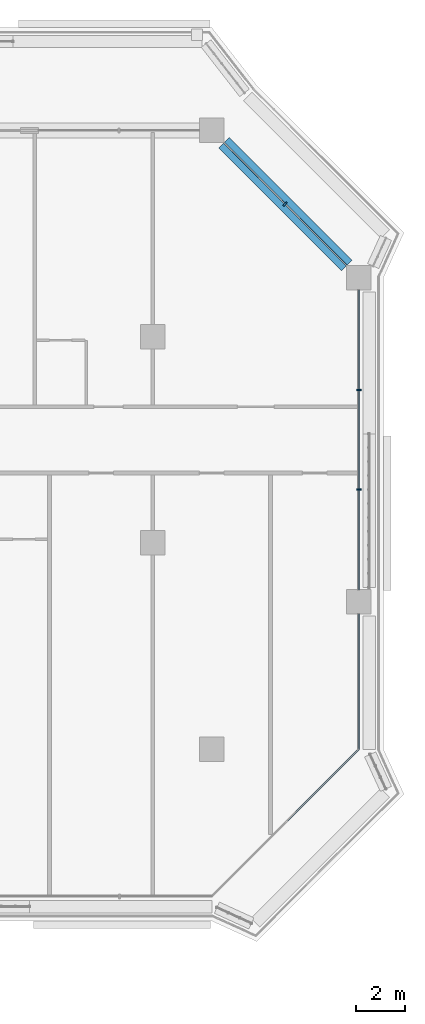
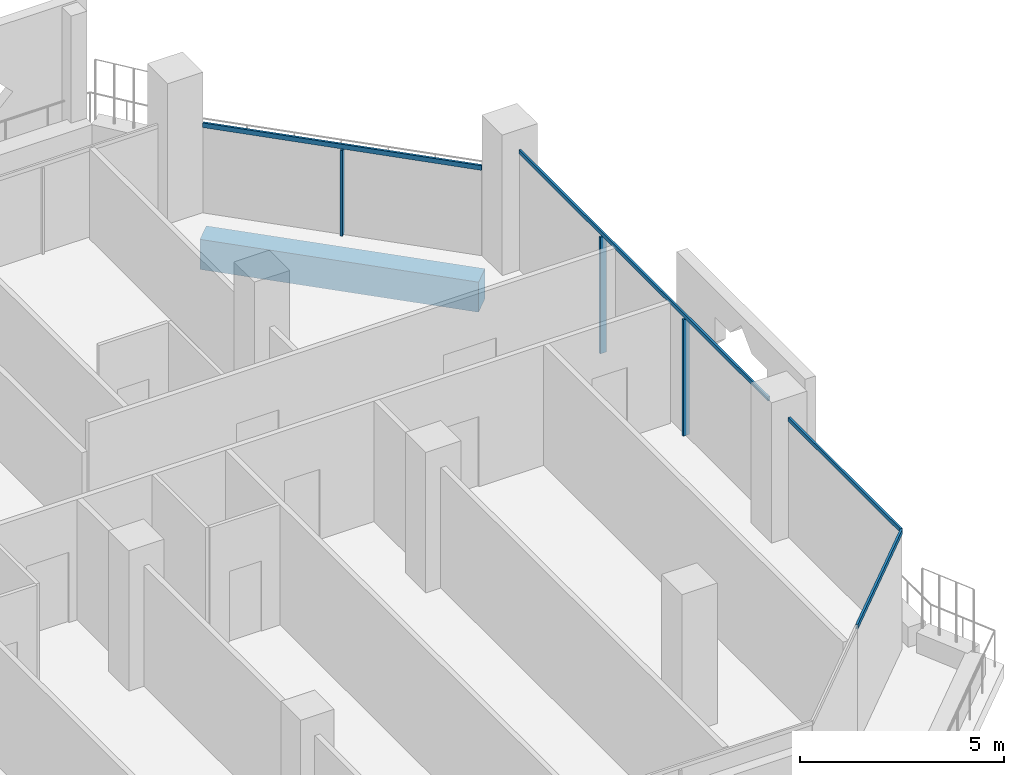
# One storey, part 7 of 22: 7 members, 1 beam, 3 elements without a shape of their own.
"""IFC4 building model written with IfcOpenShell, lengths in metres."""

import ifcopenshell
import ifcopenshell.guid

model = None  # the IFC model being written
_history = None  # IfcOwnerHistory: only IFC2X3 demands one
_inside = {}  # id of a spatial element -> (the spatial element, [elements in it])
_under = {}  # id of a project, library or spatial element -> (it, [spatial elements below it])
_declared = {}  # id of a project -> (the project, [libraries it declares])
_typed = {}  # id of a type object -> (the type object, [elements of that type])
_made_of = {}  # id of a material, layer set ... -> (it, [elements and type objects made of it])


def new_model(schema):
    """Start an empty IFC model of exactly this schema.

    Asked for "IFC4X3", IfcOpenShell would pick the latest addendum, in which some entities
    have other attributes; the version numbers below select the first issue.
    IFC2X3 requires an IfcOwnerHistory on every rooted entity: one is made here for all.
    """
    global model, _history
    if schema == "IFC4X3":
        model = ifcopenshell.file(schema_version=(4, 3, 0, 0))
    else:
        model = ifcopenshell.file(schema=schema)
    _inside.clear()
    _under.clear()
    _declared.clear()
    _typed.clear()
    _made_of.clear()
    _history = None
    if model.schema == "IFC2X3":
        org = make("IfcOrganization", Name="unknown")
        user = make(
            "IfcPersonAndOrganization",
            ThePerson=make("IfcPerson", FamilyName="unknown"),
            TheOrganization=org,
        )
        app = make(
            "IfcApplication",
            ApplicationDeveloper=org,
            Version="unknown",
            ApplicationFullName="unknown",
            ApplicationIdentifier="unknown",
        )
        _history = make(
            "IfcOwnerHistory",
            OwningUser=user,
            OwningApplication=app,
            ChangeAction="ADDED",
            CreationDate=0,
        )
    return model


def make(cls, **values):
    """One entity of the class cls with the attributes given. An attribute that is None is left unset."""
    return model.create_entity(
        cls, **{name: value for name, value in values.items() if value is not None}
    )


def rooted(cls, **values):
    """An entity with a GlobalId (a new one), such as an element, a storey or a relation."""
    return make(cls, GlobalId=ifcopenshell.guid.new(), OwnerHistory=_history, **values)


def si_unit(unit_type, name, prefix=None):
    """IfcSIUnit, for example si_unit("LENGTHUNIT", "METRE", prefix="MILLI")."""
    return make("IfcSIUnit", UnitType=unit_type, Prefix=prefix, Name=name)


def assignment(units):
    """IfcUnitAssignment: the units of a project."""
    return None if units is None else make("IfcUnitAssignment", Units=units)


def point(xyz):
    """IfcCartesianPoint."""
    return None if xyz is None else make("IfcCartesianPoint", Coordinates=xyz)


def direction(xyz):
    """IfcDirection."""
    return None if xyz is None else make("IfcDirection", DirectionRatios=xyz)


def frame(location, z_axis=None, x_axis=None):
    """IfcAxis2Placement3D, a coordinate frame: its origin and axes. An axis left out is left unset."""
    return make(
        "IfcAxis2Placement3D",
        Location=point(location),
        Axis=direction(z_axis),
        RefDirection=direction(x_axis),
    )


def frame_2d(location, x_axis=None):
    """IfcAxis2Placement2D, a coordinate frame in the plane: its origin and x axis."""
    return make(
        "IfcAxis2Placement2D", Location=point(location), RefDirection=direction(x_axis)
    )


def origin():
    """The frame at (0, 0, 0) with its axes left unset."""
    return frame((0.0, 0.0, 0.0))


def origin_2d():
    """The frame at (0, 0) in the plane with its x axis left unset."""
    return frame_2d((0.0, 0.0))


def place(relative_to, where):
    """IfcLocalPlacement: puts the frame where relative to a parent placement (None: the world)."""
    return make(
        "IfcLocalPlacement", PlacementRelTo=relative_to, RelativePlacement=where
    )


def context(
    kind, dimensions, precision=None, world=None, true_north=None, identifier=None
):
    """IfcGeometricRepresentationContext, for example the 3D "Model" context."""
    return make(
        "IfcGeometricRepresentationContext",
        ContextIdentifier=identifier,
        ContextType=kind,
        CoordinateSpaceDimension=dimensions,
        Precision=precision,
        WorldCoordinateSystem=world,
        TrueNorth=true_north,
    )


def subcontext(parent, identifier, kind, view, scale=None):
    """IfcGeometricRepresentationSubContext, for example "Body" below "Model"."""
    return make(
        "IfcGeometricRepresentationSubContext",
        ContextIdentifier=identifier,
        ContextType=kind,
        ParentContext=parent,
        TargetScale=scale,
        TargetView=view,
    )


def project(units=None, contexts=None):
    """IfcProject with its units and contexts."""
    return rooted(
        "IfcProject",
        Name="project",
        RepresentationContexts=contexts,
        UnitsInContext=assignment(units),
    )


def spatial(cls, under=None, at=None, **own):
    """A site, building, storey or space (cls), placed at a placement, below another one or the project."""
    s = rooted(cls, ObjectPlacement=at, **own)
    if under is not None:
        _under.setdefault(under.id(), (under, []))[1].append(s)
    return s


def profile(cls, at=None, kind="AREA", **sizes):
    """A parametric profile (cls). Its sizes go by their IFC names, for example OverallWidth=200.0."""
    return make(cls, ProfileType=kind, Position=at, **sizes)


def rectangle(**sizes):
    """IfcRectangleProfileDef."""
    return profile("IfcRectangleProfileDef", **sizes)


def extrude(swept, where, along, depth):
    """IfcExtrudedAreaSolid: the profile swept, set in the frame where, extruded along a direction by depth."""
    return make(
        "IfcExtrudedAreaSolid",
        SweptArea=swept,
        Position=where,
        ExtrudedDirection=direction(along),
        Depth=depth,
    )


def shape(context_of_items, identifier, shape_type, items):
    """IfcShapeRepresentation: the items that make up one representation, for example the "Body"."""
    return make(
        "IfcShapeRepresentation",
        ContextOfItems=context_of_items,
        RepresentationIdentifier=identifier,
        RepresentationType=shape_type,
        Items=items,
    )


def material(Name=None, Category=None):
    """IfcMaterial."""
    return make("IfcMaterial", Name=Name, Category=Category)


def layer(
    of_material, thickness, ventilated=None, Name=None, Category=None, Priority=None
):
    """IfcMaterialLayer: one layer of a wall or slab, of a material (None: an air gap)."""
    return make(
        "IfcMaterialLayer",
        Material=of_material,
        LayerThickness=thickness,
        IsVentilated=ventilated,
        Name=Name,
        Category=Category,
        Priority=Priority,
    )


def layer_set(layers, Name=None):
    """IfcMaterialLayerSet."""
    return make("IfcMaterialLayerSet", MaterialLayers=layers, LayerSetName=Name)


def material_profile(
    of_material, cross_section, Name=None, Category=None, Priority=None
):
    """IfcMaterialProfile: a cross section and its material."""
    return make(
        "IfcMaterialProfile",
        Name=Name,
        Material=of_material,
        Profile=cross_section,
        Priority=Priority,
        Category=Category,
    )


def profile_set(profiles, Name=None, composite=None):
    """IfcMaterialProfileSet."""
    return make(
        "IfcMaterialProfileSet",
        Name=Name,
        MaterialProfiles=profiles,
        CompositeProfile=composite,
    )


def made_of(thing, what):
    """Note that an element or type object is made of a material, layer set ...; save() writes the relation."""
    if what is not None:
        _made_of.setdefault(what.id(), (what, []))[1].append(thing)
    return thing


def type_object(cls, material=None, **own):
    """A type object (cls), such as IfcWallType, which elements share."""
    return made_of(rooted(cls, **own), material)


def element(
    cls,
    number,
    at=None,
    inside=None,
    cuts=None,
    type_object=None,
    material=None,
    context=None,
    identifier="Body",
    shape_type=None,
    held_by="IfcProductDefinitionShape",
    body=None,
    shapes=None,
    **own,
):
    """One element of the class cls, such as IfcWall. Its Tag is "e" and its number.

    at: its placement. inside: the storey or other place that contains it. cuts: it is an
    opening in that element (IfcRelVoidsElement). A single representation is given by context,
    identifier, shape_type and body (its items); several are given by shapes. held_by: the class
    of the entity that holds the representations. save() writes the other relations.
    """
    e = rooted(cls, Tag="e%d" % number, ObjectPlacement=at, **own)
    if body is not None:
        shapes = [shape(context, identifier, shape_type, body)]
    if shapes is not None:
        e.Representation = make(held_by, Representations=shapes)
    if inside is not None:
        _inside.setdefault(inside.id(), (inside, []))[1].append(e)
    if cuts is not None:
        rooted(
            "IfcRelVoidsElement", RelatingBuildingElement=cuts, RelatedOpeningElement=e
        )
    if type_object is not None:
        _typed.setdefault(type_object.id(), (type_object, []))[1].append(e)
    return made_of(e, material)


def aggregate(whole, parts):
    """IfcRelAggregates: a whole, such as a stair, and the parts it consists of."""
    return rooted("IfcRelAggregates", RelatingObject=whole, RelatedObjects=parts)


def save(model, path):
    """Write the relations noted so far, then the file.

    IfcRelAggregates (storeys below a building ...), IfcRelContainedInSpatialStructure (elements
    in a storey), IfcRelDefinesByType, IfcRelAssociatesMaterial and IfcRelDeclares: one each for
    every whole, place, type object, material and project.
    """
    for whole, parts in _under.values():
        aggregate(whole, parts)
    for where, things in _inside.values():
        rooted(
            "IfcRelContainedInSpatialStructure",
            RelatedElements=things,
            RelatingStructure=where,
        )
    for kind, things in _typed.values():
        rooted("IfcRelDefinesByType", RelatedObjects=things, RelatingType=kind)
    for what, things in _made_of.values():
        rooted("IfcRelAssociatesMaterial", RelatedObjects=things, RelatingMaterial=what)
    for by, libraries in _declared.values():
        rooted("IfcRelDeclares", RelatingContext=by, RelatedDefinitions=libraries)
    model.write(path)


model = new_model("IFC4")

# Units and contexts
model_context = context("Model", 3, precision=1e-05, world=origin(), true_north=direction((0.0, 1.0)))
body_context = subcontext(model_context, "Body", "Model", "MODEL_VIEW")
ifc_project = project(units=[si_unit("LENGTHUNIT", "METRE"), si_unit("AREAUNIT", "SQUARE_METRE"), si_unit("VOLUMEUNIT", "CUBIC_METRE"), si_unit("PLANEANGLEUNIT", "RADIAN"), si_unit("MASSUNIT", "GRAM", prefix="KILO")], contexts=[model_context])

# Site, building, storey
site_placement = place(None, origin())
site = spatial("IfcSite", under=ifc_project, at=site_placement, CompositionType="ELEMENT")
building_placement = place(site_placement, origin())
building = spatial("IfcBuilding", under=site, at=building_placement, Name="Kawkab Arch Medical Tower", CompositionType="ELEMENT")
storey_placement = place(building_placement, frame((0.0, 0.0, 196.199951171875)))
storey = spatial("IfcBuildingStorey", under=building, at=storey_placement, Name="L45", CompositionType="ELEMENT", Elevation=196.199951171875)

# Curtain wall, members
ifc_material_1 = material(Name="Bronze anodised aluminium curtain wall frame", Category="aluminium")
ifc_layer_1 = layer(ifc_material_1, 0.159912109375)
ifc_layer_set_1 = layer_set([ifc_layer_1], Name="Bronze anodised aluminium curtain wall frame")
curtain_wall_type_1 = type_object("IfcCurtainWallType", Name="CW1 ward curtain wall", PredefinedType="NOTDEFINED", material=ifc_layer_set_1)
placement = place(storey_placement, origin())
curtain_wall_1 = element("IfcCurtainWall", 1, at=placement, inside=storey, type_object=curtain_wall_type_1, Name="CW1 Ward curtain wall R09", PredefinedType="NOTDEFINED")
ifc_material_2 = material(Name="Bronze anodised aluminium curtain wall frame", Category="aluminium")
ifc_material_profile_1 = material_profile(ifc_material_2, rectangle(XDim=0.179931640625, YDim=0.06005859375, at=origin_2d()), Name="AL 60x180")
ifc_profile_set_1 = profile_set([ifc_material_profile_1], Name="Bronze anodised aluminium curtain wall frame")
member_type_1 = type_object("IfcMemberType", Name="CW1 mullion 60 x 180", PredefinedType="MULLION", material=ifc_profile_set_1)
member_1_placement = place(storey_placement, frame((67.199951171875, -14.63330078125, 0.0), z_axis=(0.0, 0.0, 1.0), x_axis=(-1.0, 0.0, 0.0)))
member_1 = element("IfcMember", 2, at=member_1_placement, type_object=member_type_1, Name="CW1 mullion 2.1", PredefinedType="MULLION", context=body_context, shape_type="SweptSolid", body=[
    extrude(rectangle(XDim=0.179931640625, YDim=0.06005859375, at=origin_2d()), origin(), (0.0, 0.0, 1.0), 3.47998046875),
])
member_2_placement = place(storey_placement, frame((67.199951171875, -10.566650390625, 0.0), z_axis=(0.0, 0.0, 1.0), x_axis=(-1.0, 0.0, 0.0)))
member_2 = element("IfcMember", 3, at=member_2_placement, type_object=member_type_1, Name="CW1 mullion 2.2", PredefinedType="MULLION", context=body_context, shape_type="SweptSolid", body=[
    extrude(rectangle(XDim=0.179931640625, YDim=0.06005859375, at=origin_2d()), origin(), (0.0, 0.0, 1.0), 3.47998046875),
])
ifc_material_3 = material(Name="Bronze anodised aluminium curtain wall frame", Category="aluminium")
ifc_material_profile_2 = material_profile(ifc_material_3, rectangle(XDim=0.06005859375, YDim=0.1201171875, at=origin_2d()), Name="AL 60x120")
ifc_profile_set_2 = profile_set([ifc_material_profile_2], Name="Bronze anodised aluminium curtain wall frame")
member_type_2 = type_object("IfcMemberType", Name="CW1 transom 120 x 60", PredefinedType="USERDEFINED", material=ifc_profile_set_2)
member_3_placement = place(storey_placement, frame((67.199951171875, -25.199951171875, 3.5400390625), z_axis=(0.0, 1.0, 0.0), x_axis=(-1.0, 0.0, 0.0)))
member_3 = element("IfcMember", 4, at=member_3_placement, type_object=member_type_2, Name="CW1 transom 1", ObjectType="TRANSOM", PredefinedType="USERDEFINED", context=body_context, shape_type="SweptSolid", body=[
    extrude(rectangle(XDim=0.06005859375, YDim=0.1201171875, at=origin_2d()), origin(), (0.0, 0.0, 1.0), 5.5),
])
member_4_placement = place(storey_placement, frame((67.199951171875, -18.699951171875, 3.5400390625), z_axis=(0.0, 1.0, 0.0), x_axis=(-1.0, 0.0, 0.0)))
member_4 = element("IfcMember", 5, at=member_4_placement, type_object=member_type_2, Name="CW1 transom 2", ObjectType="TRANSOM", PredefinedType="USERDEFINED", context=body_context, shape_type="SweptSolid", body=[
    extrude(rectangle(XDim=0.06005859375, YDim=0.1201171875, at=origin_2d()), origin(), (0.0, 0.0, 1.0), 12.199951171875),
])
aggregate(curtain_wall_1, [member_3, member_4, member_1, member_2])

# Curtain wall, member
ifc_material_4 = material(Name="Bronze anodised aluminium curtain wall frame", Category="aluminium")
ifc_layer_2 = layer(ifc_material_4, 0.159912109375)
ifc_layer_set_2 = layer_set([ifc_layer_2], Name="Bronze anodised aluminium curtain wall frame")
curtain_wall_type_2 = type_object("IfcCurtainWallType", Name="CW2 chamfer curtain wall", PredefinedType="NOTDEFINED", material=ifc_layer_set_2)
curtain_wall_2 = element("IfcCurtainWall", 6, at=placement, inside=storey, type_object=curtain_wall_type_2, Name="CW2 Chamfer curtain wall R10", PredefinedType="NOTDEFINED")
ifc_material_5 = material(Name="Bronze anodised aluminium curtain wall frame", Category="aluminium")
ifc_material_profile_3 = material_profile(ifc_material_5, rectangle(XDim=0.199951171875, YDim=0.06005859375, at=origin_2d()), Name="AL 60x200")
ifc_profile_set_3 = profile_set([ifc_material_profile_3], Name="Bronze anodised aluminium curtain wall frame")
member_type_3 = type_object("IfcMemberType", Name="CW2 mullion 60 x 200", PredefinedType="MULLION", material=ifc_profile_set_3)
member_5_placement = place(storey_placement, frame((64.199951171875, -3.0, 0.0), z_axis=(0.0, 0.0, 1.0), x_axis=(-0.707106781187, -0.707106781187, 0.0)))
member_5 = element("IfcMember", 7, at=member_5_placement, type_object=member_type_3, Name="CW2 mullion 1.1", PredefinedType="MULLION", context=body_context, shape_type="SweptSolid", body=[
    extrude(rectangle(XDim=0.199951171875, YDim=0.06005859375, at=origin_2d()), origin(), (0.0, 0.0, 1.0), 2.56005859375),
])

curtain_wall_3 = element("IfcCurtainWall", 8, at=placement, inside=storey, type_object=curtain_wall_type_2, Name="CW2 Chamfer curtain wall R08", PredefinedType="NOTDEFINED")
ifc_material_6 = material(Name="Bronze anodised aluminium curtain wall frame", Category="aluminium")
ifc_material_profile_4 = material_profile(ifc_material_6, rectangle(XDim=0.06005859375, YDim=0.139892578125, at=origin_2d()), Name="AL 60x140")
ifc_profile_set_4 = profile_set([ifc_material_profile_4], Name="Bronze anodised aluminium curtain wall frame")
member_type_4 = type_object("IfcMemberType", Name="CW2 transom 140 x 60", PredefinedType="USERDEFINED", material=ifc_profile_set_4)
member_6_placement = place(storey_placement, frame((64.199951171875, -28.199951171875, 3.530029296875), z_axis=(0.707106781187, 0.707106781187, 0.0), x_axis=(-0.707106781187, 0.707106781187, 0.0)))
member_6 = element("IfcMember", 9, at=member_6_placement, type_object=member_type_4, Name="CW2 transom 2", ObjectType="TRANSOM", PredefinedType="USERDEFINED", context=body_context, shape_type="SweptSolid", body=[
    extrude(rectangle(XDim=0.06005859375, YDim=0.139892578125, at=origin_2d()), origin(), (0.0, 0.0, 1.0), 4.24267578125),
])
aggregate(curtain_wall_3, [member_6])

# Member
member_7_placement = place(storey_placement, frame((66.699951171875, -5.5, 2.630126953125), z_axis=(-0.707106781187, 0.707106781187, 0.0), x_axis=(-0.707106781187, -0.707106781187, 0.0)))
member_7 = element("IfcMember", 10, at=member_7_placement, type_object=member_type_4, Name="CW2 transom 1", ObjectType="TRANSOM", PredefinedType="USERDEFINED", context=body_context, shape_type="SweptSolid", body=[
    extrude(rectangle(XDim=0.06005859375, YDim=0.139892578125, at=origin_2d()), origin(), (0.0, 0.0, 1.0), 7.071044921875),
])

aggregate(curtain_wall_2, [member_7, member_5])

# Beam
ifc_material_7 = material(Name="Concrete C50/60", Category="concrete")
ifc_material_profile_5 = material_profile(ifc_material_7, rectangle(XDim=0.60009765625, YDim=0.89990234375, at=origin_2d()), Name="RC 600x900")
ifc_profile_set_5 = profile_set([ifc_material_profile_5], Name="Concrete C50/60")
beam_type = type_object("IfcBeamType", Name="RC 600x900 beam C50/60", PredefinedType="BEAM", material=ifc_profile_set_5)
beam_placement = place(storey_placement, frame((61.699951171875, -0.5, -1.050048828125), z_axis=(0.707106781187, -0.707106781187, 0.0), x_axis=(0.707106781187, 0.707106781187, 0.0)))
element("IfcBeam", 11, at=beam_placement, inside=storey, type_object=beam_type, Name="Overhang edge beam L45-08", PredefinedType="BEAM", context=body_context, shape_type="SweptSolid", body=[
    extrude(rectangle(XDim=0.60009765625, YDim=0.89990234375, at=origin_2d()), origin(), (0.0, 0.0, 1.0), 7.071044921875),
])

save(model, "model.ifc")
